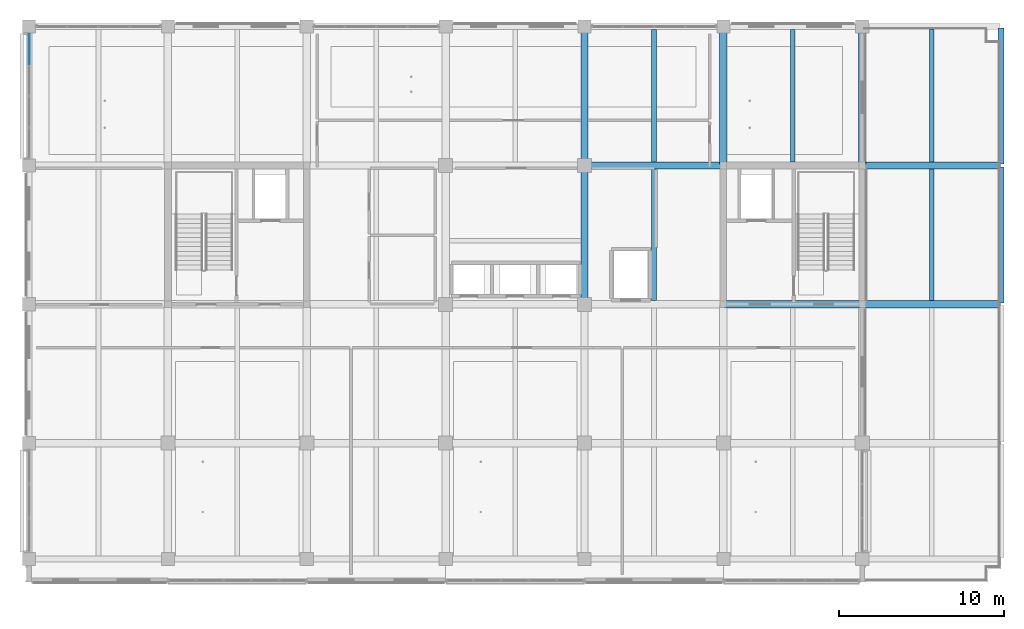
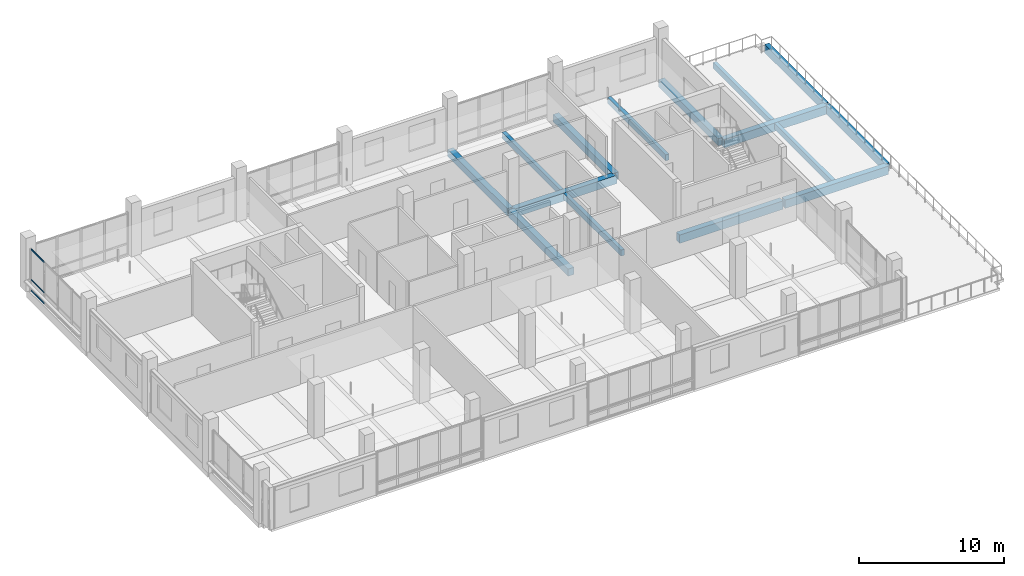
# One storey, part 7 of 36: 15 beams, 3 members, 1 element without a shape of its own.
"""IFC4 building model written with IfcOpenShell, lengths in metres."""

from ifc_helpers import new_model, si_unit, direction, frame, origin, origin_2d, place, context, subcontext, project, spatial, rectangle, extrude, material, layer, layer_set, material_profile, profile_set, type_object, element, aggregate, save


model = new_model("IFC4")

# Units and contexts
model_context = context("Model", 3, precision=1e-05, world=origin(), true_north=direction((0.0, 1.0)))
body_context = subcontext(model_context, "Body", "Model", "MODEL_VIEW")
ifc_project = project(units=[si_unit("LENGTHUNIT", "METRE"), si_unit("AREAUNIT", "SQUARE_METRE"), si_unit("VOLUMEUNIT", "CUBIC_METRE"), si_unit("PLANEANGLEUNIT", "RADIAN"), si_unit("MASSUNIT", "GRAM", prefix="KILO")], contexts=[model_context])

# Site, building, storey
site_placement = place(None, origin())
site = spatial("IfcSite", under=ifc_project, at=site_placement, CompositionType="ELEMENT")
building_placement = place(site_placement, origin())
building = spatial("IfcBuilding", under=site, at=building_placement, Name="Telukmera Botanical Conservatory", CompositionType="ELEMENT")
storey_placement = place(building_placement, frame((0.0, 0.0, 33.0)))
storey = spatial("IfcBuildingStorey", under=building, at=storey_placement, Name="L07", CompositionType="ELEMENT", Elevation=33.0)

# Beams
ifc_material_1 = material(Name="Concrete C40/50", Category="concrete")
ifc_material_profile_1 = material_profile(ifc_material_1, rectangle(XDim=0.449951171875, YDim=0.699951171875, at=origin_2d()), Name="RC 450x700")
ifc_profile_set_1 = profile_set([ifc_material_profile_1], Name="Concrete C40/50")
beam_type_1 = type_object("IfcBeamType", Name="Beam_B15", PredefinedType="BEAM", material=ifc_profile_set_1)
beam_1_placement = place(storey_placement, frame((92.47998046875, 26.0, -0.35009765625), z_axis=(1.0, 0.0, 0.0), x_axis=(0.0, 1.0, 0.0)))
element("IfcBeam", 1, at=beam_1_placement, inside=storey, type_object=beam_type_1, Name="Tower Grid Beam L07", PredefinedType="BEAM", context=body_context, shape_type="SweptSolid", body=[
    extrude(rectangle(XDim=0.449951171875, YDim=0.699951171875, at=origin_2d()), origin(), (0.0, 0.0, 1.0), 8.239990234375),
])
beam_2_placement = place(storey_placement, frame((100.8798828125, 26.0, -0.35009765625), z_axis=(1.0, 0.0, 0.0), x_axis=(0.0, 1.0, 0.0)))
element("IfcBeam", 2, at=beam_2_placement, inside=storey, type_object=beam_type_1, Name="Tower Grid Beam L07", PredefinedType="BEAM", context=body_context, shape_type="SweptSolid", body=[
    extrude(rectangle(XDim=0.449951171875, YDim=0.699951171875, at=origin_2d()), origin(), (0.0, 0.0, 1.0), 8.240234375),
])
beam_3_placement = place(storey_placement, frame((84.080078125, 34.39990234375, -0.35009765625), z_axis=(1.0, 0.0, 0.0), x_axis=(0.0, 1.0, 0.0)))
element("IfcBeam", 3, at=beam_3_placement, inside=storey, type_object=beam_type_1, Name="Tower Grid Beam L07", PredefinedType="BEAM", context=body_context, shape_type="SweptSolid", body=[
    extrude(rectangle(XDim=0.449951171875, YDim=0.699951171875, at=origin_2d()), origin(), (0.0, 0.0, 1.0), 8.239990234375),
])
beam_4_placement = place(storey_placement, frame((100.8798828125, 34.39990234375, -0.35009765625), z_axis=(1.0, 0.0, 0.0), x_axis=(0.0, 1.0, 0.0)))
element("IfcBeam", 4, at=beam_4_placement, inside=storey, type_object=beam_type_1, Name="Tower Grid Beam L07", PredefinedType="BEAM", context=body_context, shape_type="SweptSolid", body=[
    extrude(rectangle(XDim=0.449951171875, YDim=0.699951171875, at=origin_2d()), origin(), (0.0, 0.0, 1.0), 8.240234375),
])
ifc_material_profile_2 = material_profile(ifc_material_1, rectangle(XDim=0.449951171875, YDim=0.60009765625, at=origin_2d()), Name="RC 450x600")
ifc_profile_set_2 = profile_set([ifc_material_profile_2], Name="Concrete C40/50")
beam_type_2 = type_object("IfcBeamType", Name="Beam_B17", PredefinedType="BEAM", material=ifc_profile_set_2)
for number, where, z_axis, x_axis, name in (
    (5, (84.0, 26.080078125, -0.300048828125), (0.0, 1.0, 0.0), (-1.0, 0.0, 0.0), "Tower Transverse Beam L07"),
    (6, (84.0, 34.47998046875, -0.300048828125), (0.0, 1.0, 0.0), (-1.0, 0.0, 0.0), "Tower Transverse Beam L07"),
    (7, (92.39990234375, 34.47998046875, -0.300048828125), (0.0, 1.0, 0.0), (-1.0, 0.0, 0.0), "Tower Transverse Beam L07"),
    (8, (100.800048828125, 34.47998046875, -0.300048828125), (0.0, 1.0, 0.0), (-1.0, 0.0, 0.0), "Tower Transverse Beam L07"),
):
    element("IfcBeam", number, at=place(storey_placement, frame(where, z_axis=z_axis, x_axis=x_axis)), inside=storey, type_object=beam_type_2, Name=name, PredefinedType="BEAM", context=body_context, shape_type="SweptSolid", body=[
        extrude(rectangle(XDim=0.449951171875, YDim=0.60009765625, at=origin_2d()), origin(), (0.0, 0.0, 1.0), 8.239990234375),
    ])
ifc_material_profile_3 = material_profile(ifc_material_1, rectangle(XDim=0.280029296875, YDim=0.5, at=origin_2d()), Name="RC 280x500")
ifc_profile_set_3 = profile_set([ifc_material_profile_3], Name="Concrete C40/50")
beam_type_3 = type_object("IfcBeamType", Name="Beam_B26", PredefinedType="JOIST", material=ifc_profile_set_3)
beam_5_placement = place(storey_placement, frame((88.199951171875, 26.22509765625, -0.25), z_axis=(0.0, 1.0, 0.0), x_axis=(-1.0, 0.0, 0.0)))
element("IfcBeam", 9, at=beam_5_placement, inside=storey, type_object=beam_type_3, Name="Tower Secondary Floor Joist L07", PredefinedType="JOIST", context=body_context, shape_type="SweptSolid", body=[
    extrude(rectangle(XDim=0.280029296875, YDim=0.5, at=origin_2d()), origin(), (0.0, 0.0, 1.0), 7.949951171875),
])
beam_6_placement = place(storey_placement, frame((88.199951171875, 34.625, -0.25), z_axis=(0.0, 1.0, 0.0), x_axis=(-1.0, 0.0, 0.0)))
element("IfcBeam", 10, at=beam_6_placement, inside=storey, type_object=beam_type_3, Name="Tower Secondary Floor Joist L07", PredefinedType="JOIST", context=body_context, shape_type="SweptSolid", body=[
    extrude(rectangle(XDim=0.280029296875, YDim=0.5, at=origin_2d()), origin(), (0.0, 0.0, 1.0), 8.0),
])
beam_7_placement = place(storey_placement, frame((96.60009765625, 34.60009765625, -0.25), z_axis=(0.0, 1.0, 0.0), x_axis=(-1.0, 0.0, 0.0)))
element("IfcBeam", 11, at=beam_7_placement, inside=storey, type_object=beam_type_3, Name="Tower Secondary Floor Joist L07", PredefinedType="JOIST", context=body_context, shape_type="SweptSolid", body=[
    extrude(rectangle(XDim=0.280029296875, YDim=0.5, at=origin_2d()), origin(), (0.0, 0.0, 1.0), 8.02490234375),
])
beam_8_placement = place(storey_placement, frame((105.0, 26.22509765625, -0.25), z_axis=(0.0, 1.0, 0.0), x_axis=(-1.0, 0.0, 0.0)))
element("IfcBeam", 12, at=beam_8_placement, inside=storey, type_object=beam_type_3, Name="Tower Secondary Floor Joist L07", PredefinedType="JOIST", context=body_context, shape_type="SweptSolid", body=[
    extrude(rectangle(XDim=0.280029296875, YDim=0.5, at=origin_2d()), origin(), (0.0, 0.0, 1.0), 7.949951171875),
])
beam_9_placement = place(storey_placement, frame((105.0, 34.625, -0.25), z_axis=(0.0, 1.0, 0.0), x_axis=(-1.0, 0.0, 0.0)))
element("IfcBeam", 13, at=beam_9_placement, inside=storey, type_object=beam_type_3, Name="Tower Secondary Floor Joist L07", PredefinedType="JOIST", context=body_context, shape_type="SweptSolid", body=[
    extrude(rectangle(XDim=0.280029296875, YDim=0.5, at=origin_2d()), origin(), (0.0, 0.0, 1.0), 8.0),
])
ifc_material_2 = material(Name="Precast concrete C40/50", Category="concrete")
ifc_material_profile_4 = material_profile(ifc_material_2, rectangle(XDim=0.35009765625, YDim=0.699951171875, at=origin_2d()), Name="PC 350x700")
ifc_profile_set_4 = profile_set([ifc_material_profile_4], Name="Precast concrete C40/50")
beam_type_4 = type_object("IfcBeamType", Name="Beam_SP2", PredefinedType="SPANDREL", material=ifc_profile_set_4)
for number, where, z_axis, x_axis, name in (
    (14, (109.199951171875, 26.080078125, -0.35009765625), (0.0, 1.0, 0.0), (-1.0, 0.0, 0.0), "Tower Transverse Beam L07"),
    (15, (109.199951171875, 34.47998046875, -0.35009765625), (0.0, 1.0, 0.0), (-1.0, 0.0, 0.0), "Tower Transverse Beam L07"),
):
    element("IfcBeam", number, at=place(storey_placement, frame(where, z_axis=z_axis, x_axis=x_axis)), inside=storey, type_object=beam_type_4, Name=name, PredefinedType="SPANDREL", context=body_context, shape_type="SweptSolid", body=[
        extrude(rectangle(XDim=0.35009765625, YDim=0.699951171875, at=origin_2d()), origin(), (0.0, 0.0, 1.0), 8.239990234375),
    ])

# Curtain wall, members
ifc_material_3 = material(Name="Anodised aluminium 6063-T6", Category="aluminium")
ifc_layer = layer(ifc_material_3, 0.179931640625)
ifc_layer_set = layer_set([ifc_layer], Name="Anodised aluminium 6063-T6")
curtain_wall_type = type_object("IfcCurtainWallType", Name="Tower Research Laboratory Unitised Curtain Wall", PredefinedType="USERDEFINED", material=ifc_layer_set)
curtain_wall_placement = place(storey_placement, origin())
curtain_wall = element("IfcCurtainWall", 16, at=curtain_wall_placement, inside=storey, type_object=curtain_wall_type, Name="Unitised Curtain Wall CW15 V4:L07:W4", ObjectType="UNITISED CURTAIN WALL", PredefinedType="USERDEFINED")
ifc_material_profile_5 = material_profile(ifc_material_3, rectangle(XDim=0.06005859375, YDim=0.110107421875, at=origin_2d()), Name="ALU TRAN 60x110")
ifc_profile_set_5 = profile_set([ifc_material_profile_5], Name="Anodised aluminium 6063-T6")
member_type = type_object("IfcMemberType", Name="Curtain Wall Extruded Transom 60x110", PredefinedType="USERDEFINED", material=ifc_profile_set_5)
member_1_placement = place(storey_placement, frame((50.39990234375, 40.529052734375, 0.054931640625), z_axis=(0.0, 1.0, 0.0), x_axis=(-1.0, 0.0, 0.0)))
member_1 = element("IfcMember", 17, at=member_1_placement, type_object=member_type, Name="CW15 transom 4.1", ObjectType="TRANSOM", PredefinedType="USERDEFINED", context=body_context, shape_type="SweptSolid", body=[
    extrude(rectangle(XDim=0.06005859375, YDim=0.110107421875, at=origin_2d()), origin(), (0.0, 0.0, 1.0), 1.808837890625),
])
member_2_placement = place(storey_placement, frame((50.39990234375, 40.529052734375, 0.949951171875), z_axis=(0.0, 1.0, 0.0), x_axis=(-1.0, 0.0, 0.0)))
member_2 = element("IfcMember", 18, at=member_2_placement, type_object=member_type, Name="CW15 transom 4.2", ObjectType="TRANSOM", PredefinedType="USERDEFINED", context=body_context, shape_type="SweptSolid", body=[
    extrude(rectangle(XDim=0.06005859375, YDim=0.110107421875, at=origin_2d()), origin(), (0.0, 0.0, 1.0), 1.808837890625),
])
member_3_placement = place(storey_placement, frame((50.39990234375, 40.529052734375, 3.4951171875), z_axis=(0.0, 1.0, 0.0), x_axis=(-1.0, 0.0, 0.0)))
member_3 = element("IfcMember", 19, at=member_3_placement, type_object=member_type, Name="CW15 transom 4.3", ObjectType="TRANSOM", PredefinedType="USERDEFINED", context=body_context, shape_type="SweptSolid", body=[
    extrude(rectangle(XDim=0.06005859375, YDim=0.110107421875, at=origin_2d()), origin(), (0.0, 0.0, 1.0), 1.808837890625),
])
aggregate(curtain_wall, [member_1, member_2, member_3])

save(model, "model.ifc")
